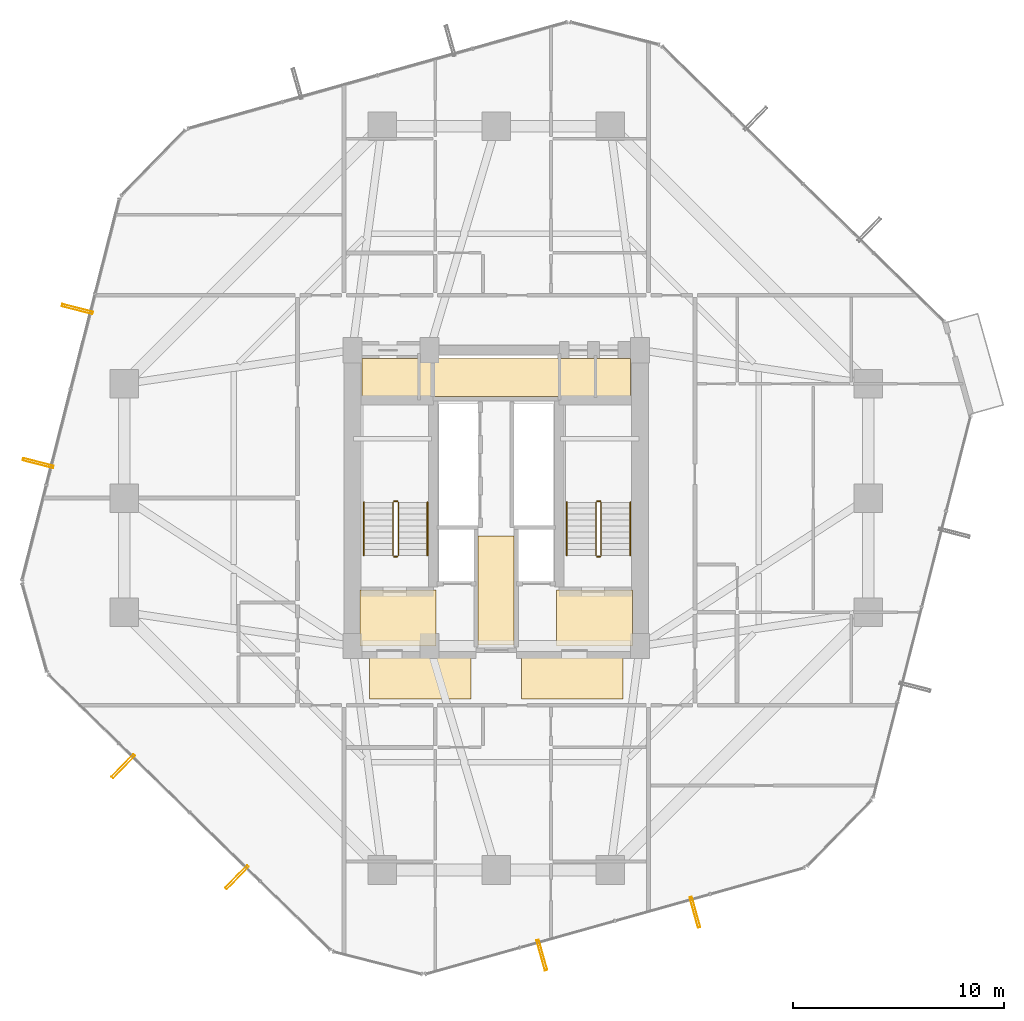
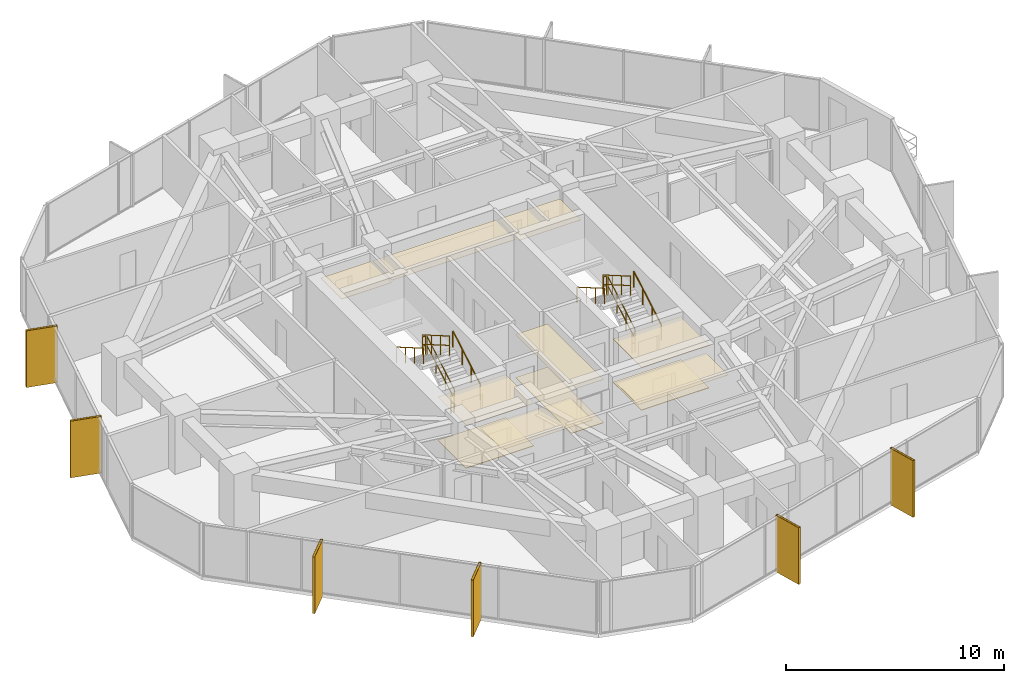
# One storey, part 38 of 39: 12 railings, 11 coverings, 6 shading devices.
"""IFC4 building model written with IfcOpenShell, lengths in metres."""

from ifc_helpers import new_model, si_unit, direction, frame, origin, origin_2d, place, context, subcontext, project, spatial, polyline, hollow_rectangle, circle, outline, extrude, material, layer, layer_set, material_profile, profile_set, type_object, element, save


model = new_model("IFC4")

# Units and contexts
model_context = context("Model", 3, precision=1e-05, world=origin(), true_north=direction((0.0, 1.0)))
body_context = subcontext(model_context, "Body", "Model", "MODEL_VIEW")
ifc_project = project(units=[si_unit("LENGTHUNIT", "METRE"), si_unit("AREAUNIT", "SQUARE_METRE"), si_unit("VOLUMEUNIT", "CUBIC_METRE"), si_unit("PLANEANGLEUNIT", "RADIAN"), si_unit("MASSUNIT", "GRAM", prefix="KILO")], contexts=[model_context])

# Site, building, storey
site_placement = place(None, origin())
site = spatial("IfcSite", under=ifc_project, at=site_placement, CompositionType="ELEMENT")
building_placement = place(site_placement, origin())
building = spatial("IfcBuilding", under=site, at=building_placement, Name="Veraguas Prism Commons", CompositionType="ELEMENT")
storey_placement = place(building_placement, frame((0.0, 0.0, 77.10009765625)))
storey = spatial("IfcBuildingStorey", under=building, at=storey_placement, Name="L21", CompositionType="ELEMENT", Elevation=77.10009765625)

# Shading devices
ifc_material_1 = material(Name="Anodised aluminium EN AW-6063 T6", Category="aluminium")
ifc_material_profile = material_profile(ifc_material_1, hollow_rectangle(XDim=0.1201171875, YDim=1.489990234375, WallThickness=0.006103515625, at=origin_2d()), Name="FIN120X1490X6")
ifc_profile_set = profile_set([ifc_material_profile], Name="Anodised aluminium EN AW-6063 T6")
shading_device_type = type_object("IfcShadingDeviceType", Name="Deep Pale-Metal Vertical Solar Fin 120x1490", PredefinedType="USERDEFINED", material=ifc_profile_set)
for number, where, z_axis, x_axis, name in (
    (1, (4.185791015625, 32.939208984375, -0.22998046875), (0.0, 0.0, 1.0), (-0.247337247968, -0.968929453452, 0.0), "Vertical Pale-Metal Solar Fin L21-F3A"),
    (2, (2.325439453125, 25.651611328125, -0.22998046875), (0.0, 0.0, 1.0), (-0.247337247968, -0.968929453452, 0.0), "Vertical Pale-Metal Solar Fin L21-F3B"),
    (3, (6.351318359375, 11.31005859375, -0.22998046875), (0.0, 0.0, 1.0), (0.715448897181, -0.698665066769, 0.0), "Vertical Pale-Metal Solar Fin L21-F4A"),
    (4, (11.732421875, 6.054931640625, -0.22998046875), (0.0, 0.0, 1.0), (0.715448897181, -0.698665066769, 0.0), "Vertical Pale-Metal Solar Fin L21-F4B"),
    (5, (26.165283203125, 2.370849609375, -0.22998046875), (0.0, 0.0, 1.0), (0.962786145149, 0.270264386684, 0.0), "Vertical Pale-Metal Solar Fin L21-F5A"),
    (6, (33.406982421875, 4.403564453125, -0.22998046875), (0.0, 0.0, 1.0), (0.962786145149, 0.270264386684, 0.0), "Vertical Pale-Metal Solar Fin L21-F5B"),
):
    element("IfcShadingDevice", number, at=place(storey_placement, frame(where, z_axis=z_axis, x_axis=x_axis)), inside=storey, type_object=shading_device_type, Name=name, ObjectType="FIN", PredefinedType="USERDEFINED", context=body_context, shape_type="SweptSolid", body=[
        extrude(hollow_rectangle(XDim=0.1201171875, YDim=1.489990234375, WallThickness=0.006103515625, at=origin_2d()), origin(), (0.0, 0.0, 1.0), 3.179931640625),
    ])

# Coverings
ifc_material_2 = material(Name="Acoustic gypsum board")
ifc_layer_1 = layer(ifc_material_2, 0.02490234375, Name="Perforated Acoustic Ceiling Tile 25")
ifc_layer_set_1 = layer_set([ifc_layer_1], Name="Acoustic gypsum board")
covering_type_1 = type_object("IfcCoveringType", Name="Perforated Acoustic Ceiling Tile 25", PredefinedType="USERDEFINED", material=ifc_layer_set_1)
covering_1_placement = place(storey_placement, frame((0.0, 0.0, 2.4248046875)))
element("IfcCovering", 7, at=covering_1_placement, inside=storey, type_object=covering_type_1, Name="East Lobby Acoustic Ceiling L21", ObjectType="ACOUSTIC CEILING", PredefinedType="USERDEFINED", context=body_context, shape_type="SweptSolid", body=[
    extrude(outline(polyline([(26.85009765625, 17.0), (30.449951171875, 17.0), (30.449951171875, 19.64990234375), (26.85009765625, 19.64990234375), (26.85009765625, 17.0)])), origin(), (0.0, 0.0, 1.0), 0.025146484375),
])
ifc_material_3 = material(Name="Terrazzo stone finish", Category="masonry")
ifc_layer_2 = layer(ifc_material_3, 0.030029296875, Name="Polished Terrazzo Floor Finish 30", Category="masonry")
ifc_layer_set_2 = layer_set([ifc_layer_2], Name="Terrazzo stone finish")
covering_type_2 = type_object("IfcCoveringType", Name="Polished Terrazzo Floor Finish 30", PredefinedType="FLOORING", material=ifc_layer_set_2)
covering_2_placement = place(storey_placement, origin())
element("IfcCovering", 8, at=covering_2_placement, inside=storey, type_object=covering_type_2, Name="Terrazzo Lobby Flooring L21", PredefinedType="FLOORING", context=body_context, shape_type="SweptSolid", body=[
    extrude(outline(polyline([(23.14990234375, 17.050048828125), (24.85009765625, 17.050048828125), (24.85009765625, 22.199951171875), (23.14990234375, 22.199951171875), (23.14990234375, 17.050048828125)])), origin(), (0.0, 0.0, 1.0), 0.02978515625),
])
covering_3_placement = place(storey_placement, origin())
element("IfcCovering", 9, at=covering_3_placement, inside=storey, type_object=covering_type_2, Name="West FF Lobby Terrazzo Flooring L21", PredefinedType="FLOORING", context=body_context, shape_type="SweptSolid", body=[
    extrude(outline(polyline([(17.550048828125, 17.050048828125), (21.14990234375, 17.050048828125), (21.14990234375, 19.64990234375), (17.550048828125, 19.64990234375), (17.550048828125, 17.050048828125)])), origin(), (0.0, 0.0, 1.0), 0.02978515625),
])
covering_4_placement = place(storey_placement, origin())
element("IfcCovering", 10, at=covering_4_placement, inside=storey, type_object=covering_type_2, Name="East FF Lobby Terrazzo Flooring L21", PredefinedType="FLOORING", context=body_context, shape_type="SweptSolid", body=[
    extrude(outline(polyline([(26.85009765625, 17.050048828125), (30.449951171875, 17.050048828125), (30.449951171875, 19.64990234375), (26.85009765625, 19.64990234375), (26.85009765625, 17.050048828125)])), origin(), (0.0, 0.0, 1.0), 0.02978515625),
])

# Railings
ifc_material_4 = material(Name="Stainless steel AISI 316", Category="steel")
railing_type_1 = type_object("IfcRailingType", Name="Stair and Ramp Stainless Handrail 900", PredefinedType="HANDRAIL", material=ifc_material_4)
railing_1_placement = place(storey_placement, frame((20.75, 21.280029296875, 0.162353515625)))
element("IfcRailing", 11, at=railing_1_placement, inside=storey, type_object=railing_type_1, Name="Stair Handrail ST-01 L21-1", PredefinedType="HANDRAIL", context=body_context, shape_type="SweptSolid", body=[
    extrude(circle(Radius=0.02392578125, at=origin_2d()), frame((0.0, 0.0, 0.8759765625), z_axis=(0.0, 0.864876961378, 0.501983905795), x_axis=(-1.0, 0.0, 0.0)), (0.0, 0.0, 1.0), 2.913818359375),
    extrude(circle(Radius=0.02099609375, at=origin_2d()), origin(), (0.0, 0.0, 1.0), 0.851806640625),
    extrude(circle(Radius=0.02099609375, at=origin_2d()), frame((0.0, 0.840087890625, 0.487548828125)), (0.0, 0.0, 1.0), 0.851806640625),
    extrude(circle(Radius=0.02099609375, at=origin_2d()), frame((0.0, 1.679931640625, 0.97509765625)), (0.0, 0.0, 1.0), 0.851806640625),
    extrude(circle(Radius=0.02099609375, at=origin_2d()), frame((0.0, 2.52001953125, 1.462646484375)), (0.0, 0.0, 1.0), 0.851806640625),
])
railing_2_placement = place(storey_placement, frame((17.739990234375, 23.800048828125, 1.787353515625)))
element("IfcRailing", 12, at=railing_2_placement, inside=storey, type_object=railing_type_1, Name="Stair Handrail ST-01 L21-2", PredefinedType="HANDRAIL", context=body_context, shape_type="SweptSolid", body=[
    extrude(circle(Radius=0.02392578125, at=origin_2d()), frame((0.0, 0.0, 0.8759765625), z_axis=(0.0, -0.864876961378, 0.501983905795), x_axis=(1.0, 0.0, 0.0)), (0.0, 0.0, 1.0), 2.913818359375),
    extrude(circle(Radius=0.02099609375, at=origin_2d()), origin(), (0.0, 0.0, 1.0), 0.851806640625),
    extrude(circle(Radius=0.02099609375, at=origin_2d()), frame((0.0, -0.840087890625, 0.487548828125)), (0.0, 0.0, 1.0), 0.851806640625),
    extrude(circle(Radius=0.02099609375, at=origin_2d()), frame((0.0, -1.679931640625, 0.97509765625)), (0.0, 0.0, 1.0), 0.851806640625),
    extrude(circle(Radius=0.02099609375, at=origin_2d()), frame((0.0, -2.52001953125, 1.462646484375)), (0.0, 0.0, 1.0), 0.851806640625),
])
railing_3_placement = place(storey_placement, frame((30.35009765625, 21.280029296875, 0.162353515625)))
element("IfcRailing", 13, at=railing_3_placement, inside=storey, type_object=railing_type_1, Name="Stair Handrail ST-02 L21-1", PredefinedType="HANDRAIL", context=body_context, shape_type="SweptSolid", body=[
    extrude(circle(Radius=0.02392578125, at=origin_2d()), frame((0.0, 0.0, 0.8759765625), z_axis=(0.0, 0.864876961378, 0.501983905795), x_axis=(-1.0, 0.0, 0.0)), (0.0, 0.0, 1.0), 2.913818359375),
    extrude(circle(Radius=0.02099609375, at=origin_2d()), origin(), (0.0, 0.0, 1.0), 0.851806640625),
    extrude(circle(Radius=0.02099609375, at=origin_2d()), frame((0.0, 0.840087890625, 0.487548828125)), (0.0, 0.0, 1.0), 0.851806640625),
    extrude(circle(Radius=0.02099609375, at=origin_2d()), frame((0.0, 1.679931640625, 0.97509765625)), (0.0, 0.0, 1.0), 0.851806640625),
    extrude(circle(Radius=0.02099609375, at=origin_2d()), frame((0.0, 2.52001953125, 1.462646484375)), (0.0, 0.0, 1.0), 0.851806640625),
])
railing_4_placement = place(storey_placement, frame((27.340087890625, 23.800048828125, 1.787353515625)))
element("IfcRailing", 14, at=railing_4_placement, inside=storey, type_object=railing_type_1, Name="Stair Handrail ST-02 L21-2", PredefinedType="HANDRAIL", context=body_context, shape_type="SweptSolid", body=[
    extrude(circle(Radius=0.02392578125, at=origin_2d()), frame((0.0, 0.0, 0.8759765625), z_axis=(0.0, -0.864876961378, 0.501983905795), x_axis=(1.0, 0.0, 0.0)), (0.0, 0.0, 1.0), 2.913818359375),
    extrude(circle(Radius=0.02099609375, at=origin_2d()), origin(), (0.0, 0.0, 1.0), 0.851806640625),
    extrude(circle(Radius=0.02099609375, at=origin_2d()), frame((0.0, -0.840087890625, 0.487548828125)), (0.0, 0.0, 1.0), 0.851806640625),
    extrude(circle(Radius=0.02099609375, at=origin_2d()), frame((0.0, -1.679931640625, 0.97509765625)), (0.0, 0.0, 1.0), 0.851806640625),
    extrude(circle(Radius=0.02099609375, at=origin_2d()), frame((0.0, -2.52001953125, 1.462646484375)), (0.0, 0.0, 1.0), 0.851806640625),
])
railing_type_2 = type_object("IfcRailingType", Name="Stairwell Safety Guardrail 1100", PredefinedType="GUARDRAIL", material=ifc_material_4)
railing_5_placement = place(storey_placement, frame((19.3701171875, 21.280029296875, 0.162353515625)))
element("IfcRailing", 15, at=railing_5_placement, inside=storey, type_object=railing_type_2, Name="Stair Guard ST-01 L21-1", PredefinedType="GUARDRAIL", context=body_context, shape_type="SweptSolid", body=[
    extrude(circle(Radius=0.02392578125, at=origin_2d()), frame((0.0, 0.0, 1.076171875), z_axis=(0.0, 0.864876961378, 0.501983905795), x_axis=(-1.0, 0.0, 0.0)), (0.0, 0.0, 1.0), 2.913818359375),
    extrude(circle(Radius=0.02392578125, at=origin_2d()), frame((0.0, 0.0, 0.550048828125), z_axis=(0.0, 0.864876961378, 0.501983905795), x_axis=(-1.0, 0.0, 0.0)), (0.0, 0.0, 1.0), 2.913818359375),
    extrude(circle(Radius=0.02099609375, at=origin_2d()), origin(), (0.0, 0.0, 1.0), 1.052001953125),
    extrude(circle(Radius=0.02099609375, at=origin_2d()), frame((0.0, 0.840087890625, 0.487548828125)), (0.0, 0.0, 1.0), 1.052001953125),
    extrude(circle(Radius=0.02099609375, at=origin_2d()), frame((0.0, 1.679931640625, 0.97509765625)), (0.0, 0.0, 1.0), 1.052001953125),
    extrude(circle(Radius=0.02099609375, at=origin_2d()), frame((0.0, 2.52001953125, 1.462646484375)), (0.0, 0.0, 1.0), 1.052001953125),
])
railing_6_placement = place(storey_placement, frame((19.320068359375, 23.85009765625, 1.625)))
element("IfcRailing", 16, at=railing_6_placement, inside=storey, type_object=railing_type_2, Name="Stair Guard ST-01 L21-2", PredefinedType="GUARDRAIL", context=body_context, shape_type="SweptSolid", body=[
    extrude(circle(Radius=0.02392578125, at=origin_2d()), frame((0.0, 0.0, 1.076171875), z_axis=(-1.0, 0.0, 0.0), x_axis=(0.0, -1.0, 0.0)), (0.0, 0.0, 1.0), 0.150146484375),
    extrude(circle(Radius=0.02392578125, at=origin_2d()), frame((0.0, 0.0, 0.550048828125), z_axis=(-1.0, 0.0, 0.0), x_axis=(0.0, -1.0, 0.0)), (0.0, 0.0, 1.0), 0.150146484375),
    extrude(circle(Radius=0.02099609375, at=origin_2d()), origin(), (0.0, 0.0, 1.0), 1.052001953125),
    extrude(circle(Radius=0.02099609375, at=origin_2d()), frame((-0.150146484375, 0.0, 0.0)), (0.0, 0.0, 1.0), 1.052001953125),
])
railing_7_placement = place(storey_placement, frame((19.1201171875, 23.800048828125, 1.787353515625)))
element("IfcRailing", 17, at=railing_7_placement, inside=storey, type_object=railing_type_2, Name="Stair Guard ST-01 L21-3", PredefinedType="GUARDRAIL", context=body_context, shape_type="SweptSolid", body=[
    extrude(circle(Radius=0.02392578125, at=origin_2d()), frame((0.0, 0.0, 1.076171875), z_axis=(0.0, -0.864876961378, 0.501983905795), x_axis=(1.0, 0.0, 0.0)), (0.0, 0.0, 1.0), 2.913818359375),
    extrude(circle(Radius=0.02392578125, at=origin_2d()), frame((0.0, 0.0, 0.550048828125), z_axis=(0.0, -0.864876961378, 0.501983905795), x_axis=(1.0, 0.0, 0.0)), (0.0, 0.0, 1.0), 2.913818359375),
    extrude(circle(Radius=0.02099609375, at=origin_2d()), origin(), (0.0, 0.0, 1.0), 1.052001953125),
    extrude(circle(Radius=0.02099609375, at=origin_2d()), frame((0.0, -0.840087890625, 0.487548828125)), (0.0, 0.0, 1.0), 1.052001953125),
    extrude(circle(Radius=0.02099609375, at=origin_2d()), frame((0.0, -1.679931640625, 0.97509765625)), (0.0, 0.0, 1.0), 1.052001953125),
    extrude(circle(Radius=0.02099609375, at=origin_2d()), frame((0.0, -2.52001953125, 1.462646484375)), (0.0, 0.0, 1.0), 1.052001953125),
])
railing_8_placement = place(storey_placement, frame((19.320068359375, 21.22998046875, 0.0)))
element("IfcRailing", 18, at=railing_8_placement, inside=storey, type_object=railing_type_2, Name="Stair Guard ST-01 L21-4", PredefinedType="GUARDRAIL", context=body_context, shape_type="SweptSolid", body=[
    extrude(circle(Radius=0.02392578125, at=origin_2d()), frame((0.0, 0.0, 1.076171875), z_axis=(-1.0, 0.0, 0.0), x_axis=(0.0, -1.0, 0.0)), (0.0, 0.0, 1.0), 0.150146484375),
    extrude(circle(Radius=0.02392578125, at=origin_2d()), frame((0.0, 0.0, 0.550048828125), z_axis=(-1.0, 0.0, 0.0), x_axis=(0.0, -1.0, 0.0)), (0.0, 0.0, 1.0), 0.150146484375),
    extrude(circle(Radius=0.02099609375, at=origin_2d()), origin(), (0.0, 0.0, 1.0), 1.052001953125),
    extrude(circle(Radius=0.02099609375, at=origin_2d()), frame((-0.150146484375, 0.0, 0.0)), (0.0, 0.0, 1.0), 1.052001953125),
])
railing_9_placement = place(storey_placement, frame((28.969970703125, 21.280029296875, 0.162353515625)))
element("IfcRailing", 19, at=railing_9_placement, inside=storey, type_object=railing_type_2, Name="Stair Guard ST-02 L21-1", PredefinedType="GUARDRAIL", context=body_context, shape_type="SweptSolid", body=[
    extrude(circle(Radius=0.02392578125, at=origin_2d()), frame((0.0, 0.0, 1.076171875), z_axis=(0.0, 0.864876961378, 0.501983905795), x_axis=(-1.0, 0.0, 0.0)), (0.0, 0.0, 1.0), 2.913818359375),
    extrude(circle(Radius=0.02392578125, at=origin_2d()), frame((0.0, 0.0, 0.550048828125), z_axis=(0.0, 0.864876961378, 0.501983905795), x_axis=(-1.0, 0.0, 0.0)), (0.0, 0.0, 1.0), 2.913818359375),
    extrude(circle(Radius=0.02099609375, at=origin_2d()), origin(), (0.0, 0.0, 1.0), 1.052001953125),
    extrude(circle(Radius=0.02099609375, at=origin_2d()), frame((0.0, 0.840087890625, 0.487548828125)), (0.0, 0.0, 1.0), 1.052001953125),
    extrude(circle(Radius=0.02099609375, at=origin_2d()), frame((0.0, 1.679931640625, 0.97509765625)), (0.0, 0.0, 1.0), 1.052001953125),
    extrude(circle(Radius=0.02099609375, at=origin_2d()), frame((0.0, 2.52001953125, 1.462646484375)), (0.0, 0.0, 1.0), 1.052001953125),
])
railing_10_placement = place(storey_placement, frame((28.919921875, 23.85009765625, 1.625)))
element("IfcRailing", 20, at=railing_10_placement, inside=storey, type_object=railing_type_2, Name="Stair Guard ST-02 L21-2", PredefinedType="GUARDRAIL", context=body_context, shape_type="SweptSolid", body=[
    extrude(circle(Radius=0.02392578125, at=origin_2d()), frame((0.0, 0.0, 1.076171875), z_axis=(-1.0, 0.0, 0.0), x_axis=(0.0, -1.0, 0.0)), (0.0, 0.0, 1.0), 0.14990234375),
    extrude(circle(Radius=0.02392578125, at=origin_2d()), frame((0.0, 0.0, 0.550048828125), z_axis=(-1.0, 0.0, 0.0), x_axis=(0.0, -1.0, 0.0)), (0.0, 0.0, 1.0), 0.14990234375),
    extrude(circle(Radius=0.02099609375, at=origin_2d()), origin(), (0.0, 0.0, 1.0), 1.052001953125),
    extrude(circle(Radius=0.02099609375, at=origin_2d()), frame((-0.14990234375, 0.0, 0.0)), (0.0, 0.0, 1.0), 1.052001953125),
])
railing_11_placement = place(storey_placement, frame((28.719970703125, 23.800048828125, 1.787353515625)))
element("IfcRailing", 21, at=railing_11_placement, inside=storey, type_object=railing_type_2, Name="Stair Guard ST-02 L21-3", PredefinedType="GUARDRAIL", context=body_context, shape_type="SweptSolid", body=[
    extrude(circle(Radius=0.02392578125, at=origin_2d()), frame((0.0, 0.0, 1.076171875), z_axis=(0.0, -0.864876961378, 0.501983905795), x_axis=(1.0, 0.0, 0.0)), (0.0, 0.0, 1.0), 2.913818359375),
    extrude(circle(Radius=0.02392578125, at=origin_2d()), frame((0.0, 0.0, 0.550048828125), z_axis=(0.0, -0.864876961378, 0.501983905795), x_axis=(1.0, 0.0, 0.0)), (0.0, 0.0, 1.0), 2.913818359375),
    extrude(circle(Radius=0.02099609375, at=origin_2d()), origin(), (0.0, 0.0, 1.0), 1.052001953125),
    extrude(circle(Radius=0.02099609375, at=origin_2d()), frame((0.0, -0.840087890625, 0.487548828125)), (0.0, 0.0, 1.0), 1.052001953125),
    extrude(circle(Radius=0.02099609375, at=origin_2d()), frame((0.0, -1.679931640625, 0.97509765625)), (0.0, 0.0, 1.0), 1.052001953125),
    extrude(circle(Radius=0.02099609375, at=origin_2d()), frame((0.0, -2.52001953125, 1.462646484375)), (0.0, 0.0, 1.0), 1.052001953125),
])
railing_12_placement = place(storey_placement, frame((28.919921875, 21.22998046875, 0.0)))
element("IfcRailing", 22, at=railing_12_placement, inside=storey, type_object=railing_type_2, Name="Stair Guard ST-02 L21-4", PredefinedType="GUARDRAIL", context=body_context, shape_type="SweptSolid", body=[
    extrude(circle(Radius=0.02392578125, at=origin_2d()), frame((0.0, 0.0, 1.076171875), z_axis=(-1.0, 0.0, 0.0), x_axis=(0.0, -1.0, 0.0)), (0.0, 0.0, 1.0), 0.14990234375),
    extrude(circle(Radius=0.02392578125, at=origin_2d()), frame((0.0, 0.0, 0.550048828125), z_axis=(-1.0, 0.0, 0.0), x_axis=(0.0, -1.0, 0.0)), (0.0, 0.0, 1.0), 0.14990234375),
    extrude(circle(Radius=0.02099609375, at=origin_2d()), origin(), (0.0, 0.0, 1.0), 1.052001953125),
    extrude(circle(Radius=0.02099609375, at=origin_2d()), frame((-0.14990234375, 0.0, 0.0)), (0.0, 0.0, 1.0), 1.052001953125),
])

# Coverings
ifc_layer_3 = layer(ifc_material_2, 0.02001953125, Name="Suspended Gypsum Ceiling 20")
ifc_layer_set_3 = layer_set([ifc_layer_3], Name="Acoustic gypsum board")
covering_type_3 = type_object("IfcCoveringType", Name="Suspended Gypsum Ceiling 20", PredefinedType="CEILING", material=ifc_layer_set_3)
covering_5_placement = place(storey_placement, frame((0.0, 0.0, 2.429931640625)))
element("IfcCovering", 23, at=covering_5_placement, inside=storey, type_object=covering_type_3, Name="West Lobby Suspended Gypsum Ceiling L21", PredefinedType="CEILING", context=body_context, shape_type="SweptSolid", body=[
    extrude(outline(polyline([(17.550048828125, 17.0), (21.14990234375, 17.0), (21.14990234375, 19.64990234375), (17.550048828125, 19.64990234375), (17.550048828125, 17.0)])), origin(), (0.0, 0.0, 1.0), 0.02001953125),
])
covering_6_placement = place(storey_placement, frame((0.0, 0.0, 2.429931640625)))
element("IfcCovering", 24, at=covering_6_placement, inside=storey, type_object=covering_type_3, Name="Core Lobby Acoustic Ceiling L21-1", PredefinedType="CEILING", context=body_context, shape_type="SweptSolid", body=[
    extrude(outline(polyline([(18.0, 14.5), (22.800048828125, 14.5), (22.800048828125, 16.550048828125), (18.0, 16.550048828125), (18.0, 14.5)])), origin(), (0.0, 0.0, 1.0), 0.02001953125),
])
covering_7_placement = place(storey_placement, frame((0.0, 0.0, 2.429931640625)))
element("IfcCovering", 25, at=covering_7_placement, inside=storey, type_object=covering_type_3, Name="Core Lobby Acoustic Ceiling L21-2", PredefinedType="CEILING", context=body_context, shape_type="SweptSolid", body=[
    extrude(outline(polyline([(25.199951171875, 14.5), (30.0, 14.5), (30.0, 16.550048828125), (25.199951171875, 16.550048828125), (25.199951171875, 14.5)])), origin(), (0.0, 0.0, 1.0), 0.02001953125),
])
covering_8_placement = place(storey_placement, frame((0.0, 0.0, 2.429931640625)))
element("IfcCovering", 26, at=covering_8_placement, inside=storey, type_object=covering_type_3, Name="Core Lobby Acoustic Ceiling L21-3", PredefinedType="CEILING", context=body_context, shape_type="SweptSolid", body=[
    extrude(outline(polyline([(23.14990234375, 17.050048828125), (24.85009765625, 17.050048828125), (24.85009765625, 22.199951171875), (23.14990234375, 22.199951171875), (23.14990234375, 17.050048828125)])), origin(), (0.0, 0.0, 1.0), 0.02001953125),
])
covering_9_placement = place(storey_placement, frame((0.0, 0.0, 2.429931640625)))
element("IfcCovering", 27, at=covering_9_placement, inside=storey, type_object=covering_type_3, Name="Core Lobby Acoustic Ceiling L21-4", PredefinedType="CEILING", context=body_context, shape_type="SweptSolid", body=[
    extrude(outline(polyline([(17.64990234375, 28.64990234375), (20.300048828125, 28.64990234375), (20.300048828125, 30.60009765625), (17.64990234375, 30.60009765625), (17.64990234375, 28.64990234375)])), origin(), (0.0, 0.0, 1.0), 0.02001953125),
])
covering_10_placement = place(storey_placement, frame((0.0, 0.0, 2.429931640625)))
element("IfcCovering", 28, at=covering_10_placement, inside=storey, type_object=covering_type_3, Name="Core Lobby Acoustic Ceiling L21-5", PredefinedType="CEILING", context=body_context, shape_type="SweptSolid", body=[
    extrude(outline(polyline([(27.050048828125, 28.64990234375), (30.35009765625, 28.64990234375), (30.35009765625, 30.60009765625), (27.050048828125, 30.60009765625), (27.050048828125, 28.64990234375)])), origin(), (0.0, 0.0, 1.0), 0.02001953125),
])
covering_11_placement = place(storey_placement, frame((0.0, 0.0, 2.429931640625)))
element("IfcCovering", 29, at=covering_11_placement, inside=storey, type_object=covering_type_3, Name="Core Lobby Acoustic Ceiling L21-6", PredefinedType="CEILING", context=body_context, shape_type="SweptSolid", body=[
    extrude(outline(polyline([(20.39990234375, 28.800048828125), (26.949951171875, 28.800048828125), (26.949951171875, 30.60009765625), (20.39990234375, 30.60009765625), (20.39990234375, 28.800048828125)])), origin(), (0.0, 0.0, 1.0), 0.02001953125),
])

save(model, "model.ifc")
